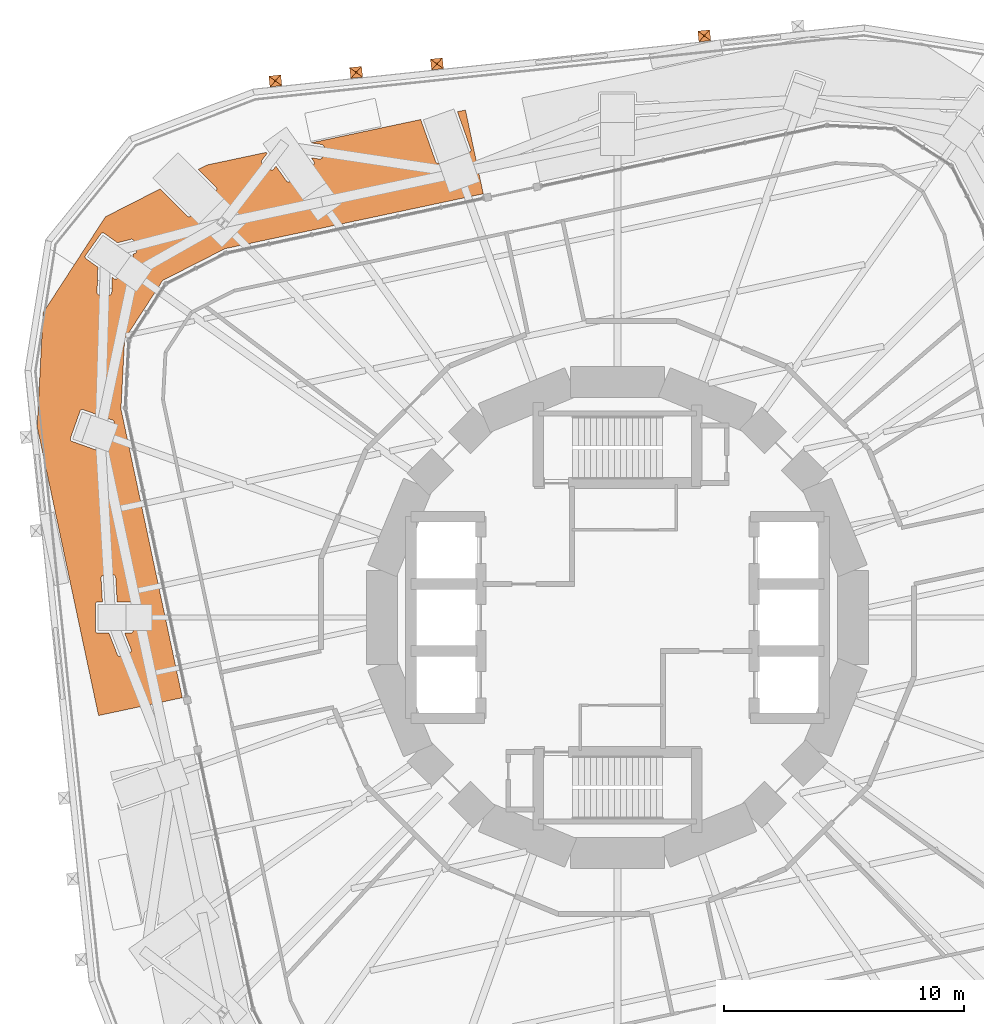
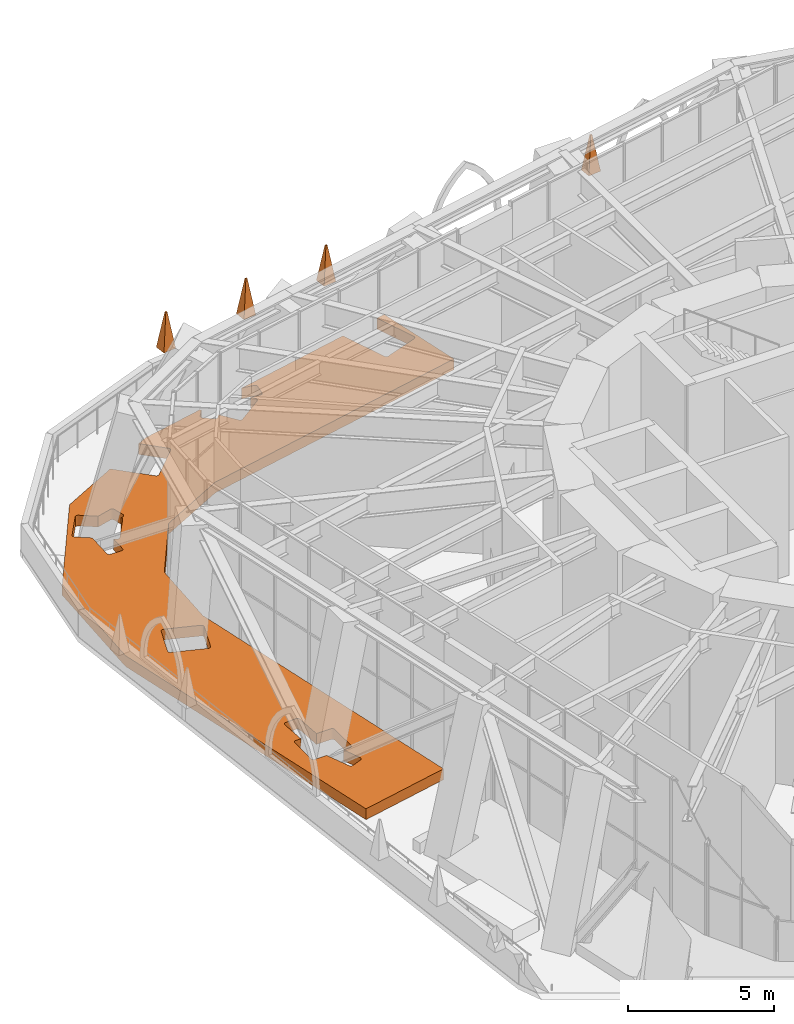
# One storey, part 22 of 23: 5 proxies.
"""IFC4 building model written with IfcOpenShell, lengths in metres."""

from ifc_helpers import new_model, entity, si_unit, direction, frame, origin, place, context, subcontext, project, spatial, polyline, outline, extrude, material, type_object, element, save


model = new_model("IFC4")

# Units and contexts
model_context = context("Model", 3, precision=1e-05, world=origin(), true_north=direction((0.0, 1.0)))
body_context = subcontext(model_context, "Body", "Model", "MODEL_VIEW")
ifc_project = project(units=[si_unit("LENGTHUNIT", "METRE"), si_unit("AREAUNIT", "SQUARE_METRE"), si_unit("VOLUMEUNIT", "CUBIC_METRE"), si_unit("PLANEANGLEUNIT", "RADIAN"), si_unit("MASSUNIT", "GRAM", prefix="KILO")], contexts=[model_context])

# Site, building, storey
site_placement = place(None, origin())
site = spatial("IfcSite", under=ifc_project, at=site_placement, CompositionType="ELEMENT")
building_placement = place(site_placement, origin())
building = spatial("IfcBuilding", under=site, at=building_placement, Name="Nakasero Lantern House", CompositionType="ELEMENT")
storey_placement = place(building_placement, frame((0.0, 0.0, 95.14990234375)))
storey = spatial("IfcBuildingStorey", under=building, at=storey_placement, Name="L23", CompositionType="ELEMENT", Elevation=95.14990234375)

# Proxies
ifc_material_1 = material(Name="Concrete C40/50 precast", Category="concrete")
building_element_proxy_type_1 = type_object("IfcBuildingElementProxyType", Name="Pinnacle 500x450", PredefinedType="USERDEFINED", material=ifc_material_1)
for number, where, z_axis, x_axis, name in (
    (1, (3.61474609375, 24.235595703125, 1.10009765625), (0.0, 0.0, 1.0), (-0.104528463268, 0.994521895368, 0.0), "Pinnacle B2 1-01"),
    (2, (-7.522216796875, 23.065185546875, 1.10009765625), (0.0, 0.0, 1.0), (-0.104528463268, 0.994521895368, 0.0), "Pinnacle B2 1-02"),
    (3, (-10.88916015625, 22.711181640625, 1.10009765625), (0.0, 0.0, 1.0), (-0.104528463268, 0.994521895368, 0.0), "Pinnacle B2 1-03"),
    (4, (-14.256103515625, 22.357421875, 1.10009765625), (0.0, 0.0, 1.0), (-0.104528463268, 0.994521895368, 0.0), "Pinnacle B2 1-04"),
):
    element("IfcBuildingElementProxy", number, at=place(storey_placement, frame(where, z_axis=z_axis, x_axis=x_axis)), inside=storey, type_object=building_element_proxy_type_1, Name=name, ObjectType="PINNACLE", PredefinedType="USERDEFINED", context=body_context, shape_type="SweptSolid", body=[
        entity("IfcExtrudedAreaSolidTapered", entity("IfcRectangleProfileDef", "AREA", None, entity("IfcAxis2Placement2D", entity("IfcCartesianPoint", [0.0, 0.0])), 0.449951171875, 0.5), entity("IfcAxis2Placement3D", entity("IfcCartesianPoint", [0.0, 0.0, 0.0])), entity("IfcDirection", [0.0, 0.0, 1.0]), 1.5, entity("IfcRectangleProfileDef", "AREA", None, entity("IfcAxis2Placement2D", entity("IfcCartesianPoint", [0.0, 0.0])), 0.06005859375, 0.06005859375)),
    ])
ifc_material_2 = material(Name="Planting substrate", Category="soil")
building_element_proxy_type_2 = type_object("IfcBuildingElementProxyType", Name="Planter bed 450", PredefinedType="USERDEFINED", material=ifc_material_2)
proxy_placement = place(storey_placement, origin())
element("IfcBuildingElementProxy", 5, at=proxy_placement, inside=storey, type_object=building_element_proxy_type_2, Name="Planter bed L23 4-1", ObjectType="PLANTER BED", PredefinedType="USERDEFINED", context=body_context, shape_type="SweptSolid", body=[
    extrude(outline(polyline([(-21.337646484375, 16.696044921875), (-19.05908203125, 17.85693359375), (-17.924560546875, 16.72265625), (-17.91748046875, 16.716064453125), (-17.909423828125, 16.710205078125), (-17.901123046875, 16.705078125), (-17.892333984375, 16.700927734375), (-17.883056640625, 16.697509765625), (-17.87353515625, 16.6953125), (-17.86376953125, 16.69384765625), (-17.85400390625, 16.693359375), (-17.84423828125, 16.69384765625), (-17.83447265625, 16.6953125), (-17.824951171875, 16.697509765625), (-17.815673828125, 16.700927734375), (-17.806884765625, 16.705078125), (-17.79833984375, 16.710205078125), (-17.79052734375, 16.716064453125), (-17.783203125, 16.72265625), (-16.72265625, 17.783203125), (-16.716064453125, 17.79052734375), (-16.710205078125, 17.79833984375), (-16.705078125, 17.806884765625), (-16.700927734375, 17.815673828125), (-16.697509765625, 17.824951171875), (-16.6953125, 17.83447265625), (-16.69384765625, 17.84423828125), (-16.693359375, 17.85400390625), (-16.69384765625, 17.86376953125), (-16.6953125, 17.87353515625), (-16.697509765625, 17.883056640625), (-16.700927734375, 17.892333984375), (-16.705078125, 17.901123046875), (-16.710205078125, 17.909423828125), (-16.716064453125, 17.91748046875), (-16.72265625, 17.924560546875), (-17.46630859375, 18.66845703125), (-17.09423828125, 18.85791015625), (-14.64013671875, 19.379638671875), (-14.603515625, 19.328125), (-14.816650390625, 19.051513671875), (-14.822265625, 19.04345703125), (-14.826904296875, 19.034912109375), (-14.830810546875, 19.02587890625), (-14.833984375, 19.0166015625), (-14.8359375, 19.0068359375), (-14.837158203125, 18.9970703125), (-14.83740234375, 18.9873046875), (-14.836669921875, 18.9775390625), (-14.834716796875, 18.968017578125), (-14.83203125, 18.95849609375), (-14.82861328125, 18.949462890625), (-14.823974609375, 18.940673828125), (-14.81884765625, 18.932373046875), (-14.812744140625, 18.924560546875), (-14.805908203125, 18.91748046875), (-14.79833984375, 18.9111328125), (-14.471923828125, 18.65966796875), (-14.4638671875, 18.654052734375), (-14.455322265625, 18.6494140625), (-14.4462890625, 18.6455078125), (-14.43701171875, 18.642333984375), (-14.42724609375, 18.640380859375), (-14.41748046875, 18.63916015625), (-14.40771484375, 18.638916015625), (-14.39794921875, 18.6396484375), (-14.388427734375, 18.6416015625), (-14.37890625, 18.644287109375), (-14.36962890625, 18.647705078125), (-14.361083984375, 18.65234375), (-14.352783203125, 18.657470703125), (-14.344970703125, 18.66357421875), (-14.337890625, 18.67041015625), (-14.33154296875, 18.677978515625), (-14.232421875, 18.806640625), (-13.792236328125, 18.1875), (-13.786376953125, 18.179931640625), (-13.779541015625, 18.1728515625), (-13.77197265625, 18.16650390625), (-13.763916015625, 18.160888671875), (-13.75537109375, 18.156005859375), (-13.746337890625, 18.152099609375), (-13.737060546875, 18.149169921875), (-13.7275390625, 18.14697265625), (-13.7177734375, 18.145751953125), (-13.7080078125, 18.1455078125), (-13.6982421875, 18.146484375), (-13.6884765625, 18.148193359375), (-13.678955078125, 18.150634765625), (-13.669921875, 18.154296875), (-13.6611328125, 18.15869140625), (-13.65283203125, 18.1640625), (-12.675048828125, 18.859375), (-12.667236328125, 18.865478515625), (-12.66015625, 18.872314453125), (-12.65380859375, 18.8798828125), (-12.648193359375, 18.887939453125), (-12.643310546875, 18.896484375), (-12.639404296875, 18.905517578125), (-12.636474609375, 18.914794921875), (-12.63427734375, 18.92431640625), (-12.633056640625, 18.93408203125), (-12.633056640625, 18.94384765625), (-12.6337890625, 18.95361328125), (-12.635498046875, 18.96337890625), (-12.63818359375, 18.972900390625), (-12.6416015625, 18.98193359375), (-12.646240234375, 18.99072265625), (-12.6513671875, 18.9990234375), (-12.7626953125, 19.155517578125), (-12.410400390625, 19.102294921875), (-12.400634765625, 19.101318359375), (-12.390625, 19.101318359375), (-12.380859375, 19.102294921875), (-12.371337890625, 19.104248046875), (-12.36181640625, 19.107177734375), (-12.352783203125, 19.11083984375), (-12.34423828125, 19.115478515625), (-12.3359375, 19.120849609375), (-12.328369140625, 19.126953125), (-12.321533203125, 19.134033203125), (-12.315185546875, 19.1416015625), (-12.309814453125, 19.149658203125), (-12.30517578125, 19.158447265625), (-12.30126953125, 19.16748046875), (-12.29833984375, 19.1767578125), (-12.296630859375, 19.186279296875), (-12.235107421875, 19.593994140625), (-12.234130859375, 19.603759765625), (-12.234130859375, 19.613525390625), (-12.235107421875, 19.623291015625), (-12.23681640625, 19.633056640625), (-12.23974609375, 19.642333984375), (-12.243408203125, 19.6513671875), (-12.248046875, 19.66015625), (-12.25341796875, 19.668212890625), (-12.259765625, 19.67578125), (-12.2666015625, 19.682861328125), (-12.274169921875, 19.68896484375), (-12.282470703125, 19.694580078125), (-12.291015625, 19.69921875), (-12.300048828125, 19.702880859375), (-12.309326171875, 19.705810546875), (-12.319091796875, 19.707763671875), (-12.589599609375, 19.74853515625), (-12.77392578125, 19.7763671875), (-8.18701171875, 20.751220703125), (-8.1875, 20.7490234375), (-8.1884765625, 20.7392578125), (-8.1884765625, 20.7294921875), (-8.1875, 20.7197265625), (-8.185546875, 20.710205078125), (-8.182861328125, 20.70068359375), (-7.752197265625, 19.489990234375), (-7.573974609375, 18.988525390625), (-7.5703125, 18.9794921875), (-7.565673828125, 18.970947265625), (-7.560302734375, 18.962646484375), (-7.553955078125, 18.955078125), (-7.547119140625, 18.9482421875), (-7.53955078125, 18.94189453125), (-7.531494140625, 18.9365234375), (-7.522705078125, 18.931884765625), (-7.513671875, 18.927978515625), (-7.50439453125, 18.925048828125), (-7.49462890625, 18.923095703125), (-7.48486328125, 18.922119140625), (-7.47509765625, 18.922119140625), (-7.46533203125, 18.923095703125), (-7.455810546875, 18.925048828125), (-7.4462890625, 18.927978515625), (-6.17431640625, 19.380126953125), (-6.165283203125, 19.3837890625), (-6.156494140625, 19.388427734375), (-6.1484375, 19.393798828125), (-6.140869140625, 19.400146484375), (-6.1337890625, 19.406982421875), (-6.127685546875, 19.41455078125), (-6.1220703125, 19.4228515625), (-6.117431640625, 19.431396484375), (-6.11376953125, 19.4404296875), (-6.11083984375, 19.449951171875), (-6.10888671875, 19.45947265625), (-6.10791015625, 19.46923828125), (-6.10791015625, 19.47900390625), (-6.10888671875, 19.48876953125), (-6.11083984375, 19.49853515625), (-6.113525390625, 19.5078125), (-6.291748046875, 20.00927734375), (-6.67041015625, 21.07373046875), (-6.334716796875, 21.14501953125), (-5.592529296875, 17.653076171875), (-16.35205078125, 15.365966796875), (-18.94873046875, 14.04296875), (-20.535888671875, 11.598876953125), (-20.6884765625, 8.6884765625), (-18.131103515625, -3.3427734375), (-21.623291015625, -4.0849609375), (-24.180419921875, 7.9462890625), (-23.931396484375, 12.701904296875), (-21.337646484375, 16.696044921875)]), holes=[polyline([(-20.75341796875, -1.61962890625), (-20.74365234375, -1.620361328125), (-20.733642578125, -1.6201171875), (-20.72412109375, -1.618896484375), (-20.71435546875, -1.61669921875), (-20.705078125, -1.613525390625), (-20.3212890625, -1.463134765625), (-20.3125, -1.459228515625), (-20.303955078125, -1.454345703125), (-20.2958984375, -1.448486328125), (-20.28857421875, -1.442138671875), (-20.28173828125, -1.43505859375), (-20.275634765625, -1.42724609375), (-20.2705078125, -1.4189453125), (-20.26611328125, -1.41015625), (-20.2626953125, -1.40087890625), (-20.260009765625, -1.391357421875), (-20.258544921875, -1.3818359375), (-20.2578125, -1.3720703125), (-20.258056640625, -1.362060546875), (-20.25927734375, -1.3525390625), (-20.261474609375, -1.3427734375), (-20.2646484375, -1.33349609375), (-20.532470703125, -0.64990234375), (-20.275634765625, -0.64990234375), (-20.265625, -0.6494140625), (-20.256103515625, -0.648193359375), (-20.24658203125, -0.645751953125), (-20.2373046875, -0.642333984375), (-20.228515625, -0.63818359375), (-20.219970703125, -0.633056640625), (-20.212158203125, -0.627197265625), (-20.204833984375, -0.62060546875), (-20.1982421875, -0.613525390625), (-20.1923828125, -0.60546875), (-20.187255859375, -0.59716796875), (-20.18310546875, -0.58837890625), (-20.179931640625, -0.5791015625), (-20.177490234375, -0.569580078125), (-20.176025390625, -0.559814453125), (-20.175537109375, -0.550048828125), (-20.175537109375, 0.550048828125), (-20.176025390625, 0.559814453125), (-20.177490234375, 0.569580078125), (-20.179931640625, 0.5791015625), (-20.18310546875, 0.58837890625), (-20.187255859375, 0.59716796875), (-20.1923828125, 0.60546875), (-20.1982421875, 0.613525390625), (-20.204833984375, 0.62060546875), (-20.212158203125, 0.627197265625), (-20.219970703125, 0.633056640625), (-20.228515625, 0.63818359375), (-20.2373046875, 0.642333984375), (-20.24658203125, 0.645751953125), (-20.256103515625, 0.648193359375), (-20.265625, 0.6494140625), (-20.275634765625, 0.64990234375), (-20.84716796875, 0.64990234375), (-20.891845703125, 1.412353515625), (-20.90771484375, 1.6806640625), (-20.90869140625, 1.6904296875), (-20.91064453125, 1.699951171875), (-20.91357421875, 1.70947265625), (-20.91748046875, 1.718505859375), (-20.922119140625, 1.72705078125), (-20.927734375, 1.735107421875), (-20.93408203125, 1.74267578125), (-20.94091796875, 1.74951171875), (-20.94873046875, 1.755615234375), (-20.956787109375, 1.760986328125), (-20.965576171875, 1.765625), (-20.974609375, 1.769287109375), (-20.984130859375, 1.77197265625), (-20.99365234375, 1.77392578125), (-21.00341796875, 1.774658203125), (-21.013427734375, 1.774658203125), (-21.4248046875, 1.75048828125), (-21.4345703125, 1.74951171875), (-21.444091796875, 1.747314453125), (-21.45361328125, 1.744384765625), (-21.462646484375, 1.74072265625), (-21.47119140625, 1.73583984375), (-21.479248046875, 1.73046875), (-21.48681640625, 1.72412109375), (-21.49365234375, 1.717041015625), (-21.499755859375, 1.70947265625), (-21.505126953125, 1.701171875), (-21.509765625, 1.692626953125), (-21.513427734375, 1.683349609375), (-21.51611328125, 1.674072265625), (-21.51806640625, 1.664306640625), (-21.518798828125, 1.654541015625), (-21.518798828125, 1.644775390625), (-21.46044921875, 0.64990234375), (-21.6552734375, 0.64990234375), (-21.6650390625, 0.6494140625), (-21.6748046875, 0.648193359375), (-21.684326171875, 0.645751953125), (-21.693603515625, 0.642333984375), (-21.702392578125, 0.63818359375), (-21.7109375, 0.633056640625), (-21.71875, 0.627197265625), (-21.72607421875, 0.62060546875), (-21.732666015625, 0.613525390625), (-21.738525390625, 0.60546875), (-21.743408203125, 0.59716796875), (-21.747802734375, 0.58837890625), (-21.7509765625, 0.5791015625), (-21.75341796875, 0.569580078125), (-21.7548828125, 0.559814453125), (-21.75537109375, 0.550048828125), (-21.75537109375, -0.550048828125), (-21.7548828125, -0.559814453125), (-21.75341796875, -0.569580078125), (-21.7509765625, -0.5791015625), (-21.747802734375, -0.58837890625), (-21.743408203125, -0.59716796875), (-21.738525390625, -0.60546875), (-21.732666015625, -0.613525390625), (-21.72607421875, -0.62060546875), (-21.71875, -0.627197265625), (-21.7109375, -0.633056640625), (-21.702392578125, -0.63818359375), (-21.693603515625, -0.642333984375), (-21.684326171875, -0.645751953125), (-21.6748046875, -0.648193359375), (-21.6650390625, -0.6494140625), (-21.6552734375, -0.64990234375), (-21.18994140625, -0.64990234375), (-20.937744140625, -1.2939453125), (-20.834716796875, -1.556884765625), (-20.830810546875, -1.565673828125), (-20.825927734375, -1.57421875), (-20.820068359375, -1.582275390625), (-20.813720703125, -1.589599609375), (-20.806640625, -1.596435546875), (-20.798828125, -1.602294921875), (-20.79052734375, -1.607666015625), (-20.78173828125, -1.612060546875), (-20.7724609375, -1.615478515625), (-20.762939453125, -1.617919921875), (-20.75341796875, -1.61962890625)]), polyline([(-21.40771484375, 6.9248046875), (-21.40087890625, 6.931640625), (-21.39453125, 6.939453125), (-21.38916015625, 6.947509765625), (-21.384521484375, 6.956298828125), (-21.380859375, 6.96533203125), (-20.978759765625, 8.095947265625), (-20.975830078125, 8.105224609375), (-20.97412109375, 8.114990234375), (-20.97314453125, 8.124755859375), (-20.97314453125, 8.134521484375), (-20.97412109375, 8.144287109375), (-20.97607421875, 8.15380859375), (-20.97900390625, 8.163330078125), (-20.982666015625, 8.17236328125), (-20.9873046875, 8.180908203125), (-20.99267578125, 8.189208984375), (-20.9990234375, 8.19677734375), (-21.006103515625, 8.20361328125), (-21.013671875, 8.2099609375), (-21.021728515625, 8.21533203125), (-21.030517578125, 8.219970703125), (-21.03955078125, 8.2236328125), (-22.167724609375, 8.624755859375), (-22.26513671875, 8.659423828125), (-22.2744140625, 8.662109375), (-22.283935546875, 8.6640625), (-22.293701171875, 8.6650390625), (-22.3037109375, 8.6650390625), (-22.3134765625, 8.6640625), (-22.322998046875, 8.662109375), (-22.33251953125, 8.6591796875), (-22.341552734375, 8.655517578125), (-22.35009765625, 8.65087890625), (-22.358154296875, 8.645263671875), (-22.36572265625, 8.63916015625), (-22.372802734375, 8.632080078125), (-22.37890625, 8.62451171875), (-22.384521484375, 8.616455078125), (-22.388916015625, 8.607666015625), (-22.392822265625, 8.5986328125), (-22.794677734375, 7.468017578125), (-22.797607421875, 7.45849609375), (-22.799560546875, 7.448974609375), (-22.800537109375, 7.439208984375), (-22.80029296875, 7.429443359375), (-22.79931640625, 7.419677734375), (-22.797607421875, 7.409912109375), (-22.794677734375, 7.400634765625), (-22.790771484375, 7.3916015625), (-22.7861328125, 7.3828125), (-22.78076171875, 7.374755859375), (-22.7744140625, 7.3671875), (-22.767578125, 7.3603515625), (-22.760009765625, 7.35400390625), (-22.751708984375, 7.3486328125), (-22.7431640625, 7.343994140625), (-22.734130859375, 7.34033203125), (-22.63671875, 7.3056640625), (-21.508544921875, 6.904541015625), (-21.4990234375, 6.901611328125), (-21.489501953125, 6.89990234375), (-21.479736328125, 6.89892578125), (-21.469970703125, 6.89892578125), (-21.460205078125, 6.89990234375), (-21.450439453125, 6.90185546875), (-21.441162109375, 6.90478515625), (-21.43212890625, 6.908447265625), (-21.42333984375, 6.9130859375), (-21.415283203125, 6.91845703125), (-21.40771484375, 6.9248046875)]), polyline([(-21.082275390625, 13.487548828125), (-21.078857421875, 13.496826171875), (-21.076171875, 13.506103515625), (-21.074462890625, 13.515869140625), (-21.073486328125, 13.525634765625), (-21.06494140625, 13.798095703125), (-21.052978515625, 14.17333984375), (-20.97021484375, 14.11474609375), (-20.962158203125, 14.109375), (-20.953369140625, 14.10498046875), (-20.944091796875, 14.101318359375), (-20.934814453125, 14.0986328125), (-20.925048828125, 14.096923828125), (-20.915283203125, 14.09619140625), (-20.905517578125, 14.096435546875), (-20.895751953125, 14.097412109375), (-20.88623046875, 14.099609375), (-20.876708984375, 14.102783203125), (-20.867919921875, 14.106689453125), (-20.859130859375, 14.111328125), (-20.851318359375, 14.116943359375), (-20.84375, 14.123291015625), (-20.8369140625, 14.13037109375), (-20.830810546875, 14.13818359375), (-20.193359375, 15.03466796875), (-20.18798828125, 15.04296875), (-20.18359375, 15.0517578125), (-20.18017578125, 15.060791015625), (-20.177490234375, 15.0703125), (-20.17578125, 15.079833984375), (-20.175048828125, 15.089599609375), (-20.175048828125, 15.099365234375), (-20.17626953125, 15.109130859375), (-20.178466796875, 15.118896484375), (-20.181396484375, 15.128173828125), (-20.185302734375, 15.13720703125), (-20.190185546875, 15.145751953125), (-20.19091796875, 15.146728515625), (-20.11474609375, 15.16650390625), (-20.10546875, 15.16943359375), (-20.096435546875, 15.17333984375), (-20.087646484375, 15.177978515625), (-20.07958984375, 15.18359375), (-20.072021484375, 15.189697265625), (-20.065185546875, 15.19677734375), (-20.05908203125, 15.204345703125), (-20.0537109375, 15.212646484375), (-20.049072265625, 15.221435546875), (-20.04541015625, 15.23046875), (-20.042724609375, 15.239990234375), (-20.041015625, 15.24951171875), (-20.0400390625, 15.25927734375), (-20.040283203125, 15.26904296875), (-20.041259765625, 15.27880859375), (-20.043212890625, 15.28857421875), (-20.147216796875, 15.687255859375), (-20.150146484375, 15.69677734375), (-20.154052734375, 15.705810546875), (-20.15869140625, 15.71435546875), (-20.164306640625, 15.722412109375), (-20.170654296875, 15.72998046875), (-20.177490234375, 15.73681640625), (-20.185302734375, 15.742919921875), (-20.193359375, 15.748291015625), (-20.2021484375, 15.7529296875), (-20.211181640625, 15.756591796875), (-20.220703125, 15.75927734375), (-20.230224609375, 15.76123046875), (-20.239990234375, 15.761962890625), (-20.25, 15.761962890625), (-20.259765625, 15.760986328125), (-20.269287109375, 15.7587890625), (-20.832763671875, 15.61181640625), (-21.088623046875, 15.7939453125), (-21.386962890625, 16.006103515625), (-21.395263671875, 16.011474609375), (-21.404052734375, 16.015869140625), (-21.4130859375, 16.01953125), (-21.422607421875, 16.022216796875), (-21.432373046875, 16.02392578125), (-21.442138671875, 16.024658203125), (-21.451904296875, 16.0244140625), (-21.461669921875, 16.023193359375), (-21.47119140625, 16.021240234375), (-21.48046875, 16.01806640625), (-21.489501953125, 16.01416015625), (-21.498046875, 16.00927734375), (-21.506103515625, 16.003662109375), (-21.513671875, 15.997314453125), (-21.520263671875, 15.990234375), (-21.5263671875, 15.982666015625), (-22.163818359375, 15.086181640625), (-22.169189453125, 15.077880859375), (-22.173583984375, 15.069091796875), (-22.17724609375, 15.06005859375), (-22.179931640625, 15.050537109375), (-22.181640625, 15.040771484375), (-22.182373046875, 15.031005859375), (-22.18212890625, 15.021240234375), (-22.18115234375, 15.011474609375), (-22.178955078125, 15.001953125), (-22.17578125, 14.99267578125), (-22.171875, 14.983642578125), (-22.167236328125, 14.97509765625), (-22.16162109375, 14.967041015625), (-22.1552734375, 14.95947265625), (-22.148193359375, 14.95263671875), (-22.140380859375, 14.94677734375), (-21.652099609375, 14.599365234375), (-21.685546875, 13.544921875), (-21.685302734375, 13.53515625), (-21.68408203125, 13.525390625), (-21.68212890625, 13.515869140625), (-21.678955078125, 13.506591796875), (-21.675048828125, 13.49755859375), (-21.67041015625, 13.489013671875), (-21.664794921875, 13.48095703125), (-21.658447265625, 13.473388671875), (-21.6513671875, 13.466552734375), (-21.6435546875, 13.46044921875), (-21.635498046875, 13.455078125), (-21.626708984375, 13.45068359375), (-21.617431640625, 13.447021484375), (-21.608154296875, 13.4443359375), (-21.598388671875, 13.442626953125), (-21.588623046875, 13.44189453125), (-21.1767578125, 13.4287109375), (-21.166748046875, 13.428955078125), (-21.1572265625, 13.43017578125), (-21.1474609375, 13.43212890625), (-21.13818359375, 13.435302734375), (-21.129150390625, 13.439208984375), (-21.12060546875, 13.44384765625), (-21.112548828125, 13.449462890625), (-21.10498046875, 13.455810546875), (-21.09814453125, 13.462890625), (-21.092041015625, 13.470703125), (-21.0869140625, 13.478759765625), (-21.082275390625, 13.487548828125)])]), origin(), (0.0, 0.0, 1.0), 0.4501953125),
])

save(model, "model.ifc")
